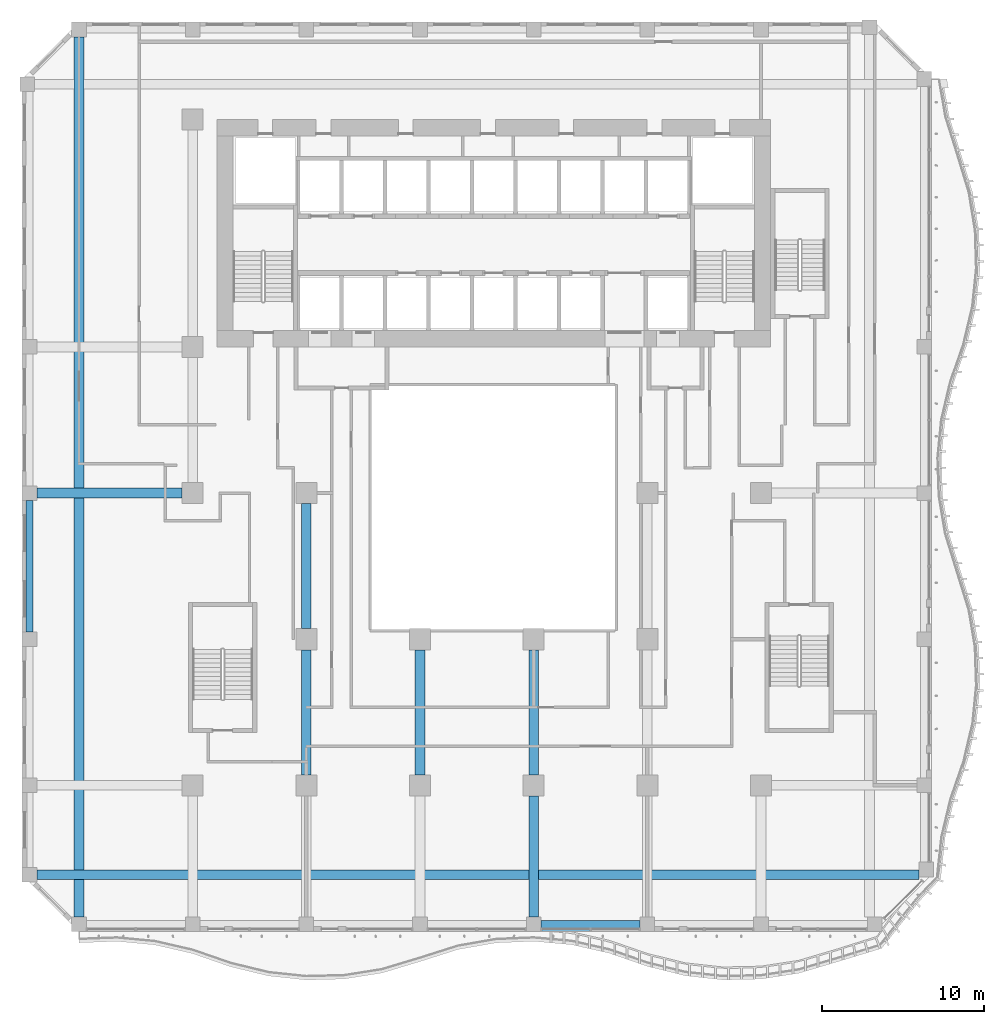
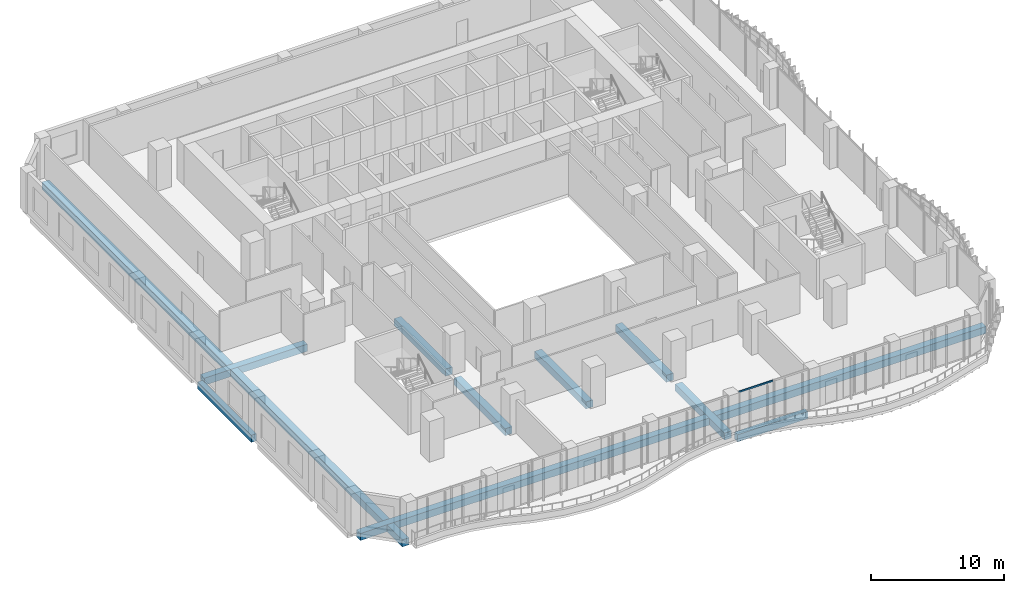
# One storey, part 3 of 25: 10 beams, 1 member, 1 element without a shape of its own.
"""IFC4 building model written with IfcOpenShell, lengths in metres."""

from ifc_helpers import new_model, si_unit, direction, frame, origin, origin_2d, place, context, subcontext, project, spatial, rectangle, extrude, source, transform, mapped, material, material_profile, profile_set, type_object, element, aggregate, save


model = new_model("IFC4")

# Units and contexts
model_context = context("Model", 3, precision=1e-05, world=origin(), true_north=direction((0.0, 1.0)))
body_context = subcontext(model_context, "Body", "Model", "MODEL_VIEW")
ifc_project = project(units=[si_unit("LENGTHUNIT", "METRE"), si_unit("AREAUNIT", "SQUARE_METRE"), si_unit("VOLUMEUNIT", "CUBIC_METRE"), si_unit("PLANEANGLEUNIT", "RADIAN"), si_unit("MASSUNIT", "GRAM", prefix="KILO")], contexts=[model_context])

# Site, building, storey
site_placement = place(None, origin())
site = spatial("IfcSite", under=ifc_project, at=site_placement, CompositionType="ELEMENT")
building_placement = place(site_placement, origin())
building = spatial("IfcBuilding", under=site, at=building_placement, Name="Kilnfold Tower and Market Hall", CompositionType="ELEMENT")
storey_placement = place(building_placement, frame((0.0, 0.0, 39.0)))
storey = spatial("IfcBuildingStorey", under=building, at=storey_placement, Name="L08", CompositionType="ELEMENT", Elevation=39.0)

# Beams
ifc_material_1 = material(Name="Concrete C45", Category="concrete")
ifc_material_profile_1 = material_profile(ifc_material_1, rectangle(XDim=0.449951171875, YDim=0.64990234375, at=origin_2d()), Name="RC 450x650")
ifc_profile_set_1 = profile_set([ifc_material_profile_1], Name="Concrete C45")
beam_type_1 = type_object("IfcBeamType", Name="EDGE BEAM 450X650 C45", PredefinedType="BEAM", material=ifc_profile_set_1)
shared_shape_1 = source(origin(), body_context, "Body", "SweptSolid", [
    extrude(rectangle(XDim=0.449951171875, YDim=0.64990234375, at=origin_2d()), origin(), (0.0, 0.0, 1.0), 6.10009765625),
])
beam_1_placement = place(storey_placement, frame((3.949951171875, -27.550048828125, -0.60498046875), z_axis=(1.0, 0.0, 0.0), x_axis=(0.0, 1.0, 0.0)))
element("IfcBeam", 1, at=beam_1_placement, inside=storey, type_object=beam_type_1, Name="Beam EB650-B1.4", PredefinedType="BEAM", context=body_context, shape_type="MappedRepresentation", body=[
    mapped(shared_shape_1, transform((0.0, 0.0, 0.0))),
])
ifc_material_2 = material(Name="Concrete C45", Category="concrete")
ifc_material_profile_2 = material_profile(ifc_material_2, rectangle(XDim=0.60009765625, YDim=0.64990234375, at=origin_2d()), Name="RC 600x650")
ifc_profile_set_2 = profile_set([ifc_material_profile_2], Name="Concrete C45")
beam_type_2 = type_object("IfcBeamType", Name="BEAM 600X650 C45", PredefinedType="BEAM", material=ifc_profile_set_2)
shared_shape_2 = source(origin(), body_context, "Body", "SweptSolid", [
    extrude(rectangle(XDim=0.60009765625, YDim=0.64990234375, at=origin_2d()), origin(), (0.0, 0.0, 1.0), 8.9501953125),
])
beam_2_placement = place(storey_placement, frame((-27.10009765625, -1.0, -0.60498046875), z_axis=(1.0, 0.0, 0.0), x_axis=(0.0, 1.0, 0.0)))
element("IfcBeam", 2, at=beam_2_placement, inside=storey, type_object=beam_type_2, Name="Beam BB650-B1.16", PredefinedType="BEAM", context=body_context, shape_type="MappedRepresentation", body=[
    mapped(shared_shape_2, transform((0.0, 0.0, 0.0))),
])
shared_shape_3 = source(origin(), body_context, "Body", "SweptSolid", [
    extrude(rectangle(XDim=0.60009765625, YDim=0.64990234375, at=origin_2d()), origin(), (0.0, 0.0, 1.0), 54.331787109375),
])
beam_3_placement = place(storey_placement, frame((-27.10009765625, -24.5, -0.60498046875), z_axis=(1.0, 0.0, 0.0), x_axis=(0.0, 1.0, 0.0)))
element("IfcBeam", 3, at=beam_3_placement, inside=storey, type_object=beam_type_2, Name="Beam BB650-B1.55", PredefinedType="BEAM", context=body_context, shape_type="MappedRepresentation", body=[
    mapped(shared_shape_3, transform((0.0, 0.0, 0.0))),
])
shared_shape_4 = source(origin(), body_context, "Body", "SweptSolid", [
    extrude(rectangle(XDim=0.449951171875, YDim=0.64990234375, at=origin_2d()), origin(), (0.0, 0.0, 1.0), 8.10009765625),
])
beam_4_placement = place(storey_placement, frame((-27.550048828125, -9.550048828125, -0.60498046875), z_axis=(0.0, 1.0, 0.0), x_axis=(-1.0, 0.0, 0.0)))
element("IfcBeam", 4, at=beam_4_placement, inside=storey, type_object=beam_type_1, Name="Beam EB650-B1.32", PredefinedType="BEAM", context=body_context, shape_type="MappedRepresentation", body=[
    mapped(shared_shape_4, transform((0.0, 0.0, 0.0))),
])
shared_shape_5 = source(origin(), body_context, "Body", "SweptSolid", [
    extrude(rectangle(XDim=0.60009765625, YDim=0.64990234375, at=origin_2d()), origin(), (0.0, 0.0, 1.0), 54.2001953125),
])
beam_5_placement = place(storey_placement, frame((-24.5, -27.10009765625, -0.60498046875), z_axis=(0.0, 1.0, 0.0), x_axis=(-1.0, 0.0, 0.0)))
element("IfcBeam", 5, at=beam_5_placement, inside=storey, type_object=beam_type_2, Name="Beam BB650-B1.35", PredefinedType="BEAM", context=body_context, shape_type="MappedRepresentation", body=[
    mapped(shared_shape_5, transform((0.0, 0.0, 0.0))),
])
shared_shape_6 = source(origin(), body_context, "Body", "SweptSolid", [
    extrude(rectangle(XDim=0.60009765625, YDim=0.64990234375, at=origin_2d()), origin(), (0.0, 0.0, 1.0), 7.4501953125),
])
beam_6_placement = place(storey_placement, frame((3.5, -27.10009765625, -0.60498046875), z_axis=(0.0, 1.0, 0.0), x_axis=(-1.0, 0.0, 0.0)))
element("IfcBeam", 6, at=beam_6_placement, inside=storey, type_object=beam_type_2, Name="Beam BB650-B1.45", PredefinedType="BEAM", context=body_context, shape_type="MappedRepresentation", body=[
    mapped(shared_shape_6, transform((0.0, 0.0, 0.0))),
])
shared_shape_7 = source(origin(), body_context, "Body", "SweptSolid", [
    extrude(rectangle(XDim=0.60009765625, YDim=0.64990234375, at=origin_2d()), origin(), (0.0, 0.0, 1.0), 7.7001953125),
])
for number, where, z_axis, x_axis, name in (
    (7, (-10.5, -18.35009765625, -0.60498046875), (0.0, 1.0, 0.0), (-1.0, 0.0, 0.0), "Beam BB650-B1.41"),
    (8, (-10.5, -9.35009765625, -0.60498046875), (0.0, 1.0, 0.0), (-1.0, 0.0, 0.0), "Beam BB650-B1.42"),
    (9, (-3.5, -18.35009765625, -0.60498046875), (0.0, 1.0, 0.0), (-1.0, 0.0, 0.0), "Beam BB650-B1.44"),
    (10, (3.5, -18.35009765625, -0.60498046875), (0.0, 1.0, 0.0), (-1.0, 0.0, 0.0), "Beam BB650-B1.46"),
):
    element("IfcBeam", number, at=place(storey_placement, frame(where, z_axis=z_axis, x_axis=x_axis)), inside=storey, type_object=beam_type_2, Name=name, PredefinedType="BEAM", context=body_context, shape_type="MappedRepresentation", body=[
        mapped(shared_shape_7, transform((0.0, 0.0, 0.0))),
    ])

# Curtain wall, member
ifc_material_3 = material(Name="Aluminium and double glazing", Category="aluminium")
curtain_wall_type = type_object("IfcCurtainWallType", Name="CW OF1 VALLEY GLAZING", PredefinedType="NOTDEFINED", material=ifc_material_3)
curtain_wall_placement = place(storey_placement, origin())
curtain_wall = element("IfcCurtainWall", 11, at=curtain_wall_placement, inside=storey, type_object=curtain_wall_type, Name="Curtain wall CW1 L08 S", PredefinedType="NOTDEFINED")
ifc_material_4 = material(Name="Aluminium", Category="aluminium")
ifc_material_profile_3 = material_profile(ifc_material_4, rectangle(XDim=0.06005859375, YDim=0.139892578125, at=origin_2d()), Name="TRANSOM 60x140")
ifc_profile_set_3 = profile_set([ifc_material_profile_3], Name="Aluminium")
member_type = type_object("IfcMemberType", Name="TRANSOM 60X140", PredefinedType="USERDEFINED", material=ifc_profile_set_3)
shared_shape_8 = source(origin(), body_context, "Body", "SweptSolid", [
    extrude(rectangle(XDim=0.06005859375, YDim=0.139892578125, at=origin_2d()), origin(), (0.0, 0.0, 1.0), 2.929931640625),
])
member_placement = place(storey_placement, frame((4.010009765625, -27.85009765625, 3.68994140625), z_axis=(1.0, 0.0, 0.0), x_axis=(0.0, 1.0, 0.0)))
member = element("IfcMember", 12, at=member_placement, type_object=member_type, Name="CW1 transom 1.2", ObjectType="TRANSOM", PredefinedType="USERDEFINED", context=body_context, shape_type="MappedRepresentation", body=[
    mapped(shared_shape_8, transform((0.0, 0.0, 0.0))),
])
aggregate(curtain_wall, [member])

save(model, "model.ifc")
